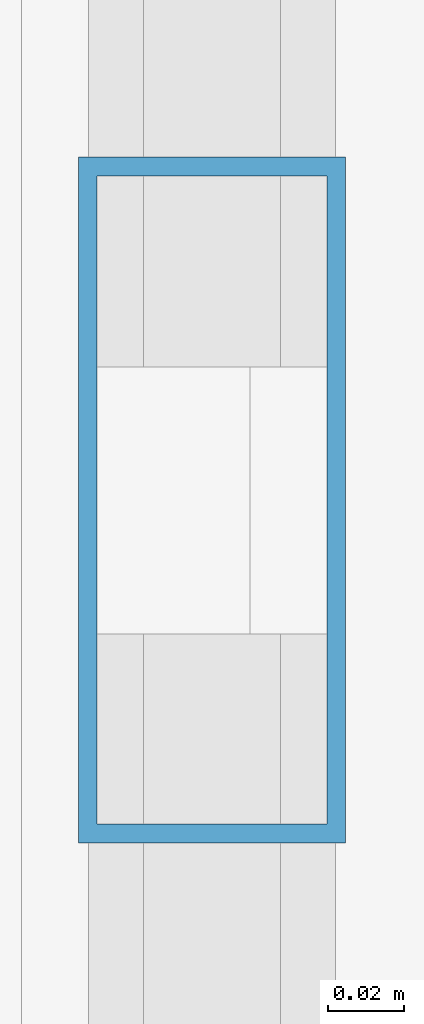
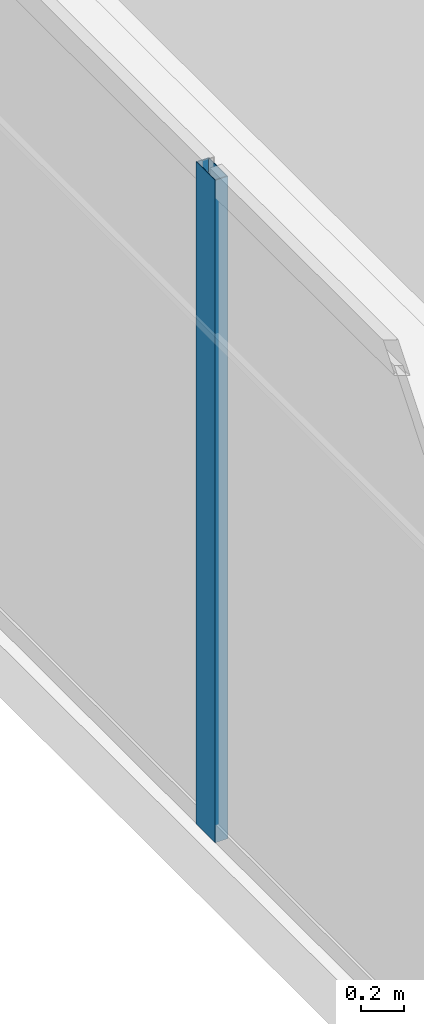
# One storey, part 8 of 35: 1 member, 1 element without a shape of its own.
"""IFC4 building model written with IfcOpenShell, lengths in metres."""

from ifc_helpers import new_model, si_unit, direction, frame, origin, origin_2d, place, context, subcontext, project, spatial, hollow_rectangle, extrude, source, transform, mapped, material, layer, layer_set, material_profile, profile_set, type_object, type_shapes, element, aggregate, save


model = new_model("IFC4")

# Units and contexts
model_context = context("Model", 3, precision=1e-05, world=origin(), true_north=direction((0.0, 1.0)))
body_context = subcontext(model_context, "Body", "Model", "MODEL_VIEW")
ifc_project = project(units=[si_unit("LENGTHUNIT", "METRE"), si_unit("AREAUNIT", "SQUARE_METRE"), si_unit("VOLUMEUNIT", "CUBIC_METRE"), si_unit("PLANEANGLEUNIT", "RADIAN"), si_unit("MASSUNIT", "GRAM", prefix="KILO")], contexts=[model_context])

# Site, building, storey
site_placement = place(None, origin())
site = spatial("IfcSite", under=ifc_project, at=site_placement, CompositionType="ELEMENT")
building_placement = place(site_placement, origin())
building = spatial("IfcBuilding", under=site, at=building_placement, Name="Haelvirn Gate Laboratories", CompositionType="ELEMENT")
storey_placement = place(building_placement, frame((0.0, 0.0, 283.39990234375)))
storey = spatial("IfcBuildingStorey", under=building, at=storey_placement, Name="L68", CompositionType="ELEMENT", Elevation=283.39990234375)

# Curtain wall, member
ifc_material_1 = material(Name="Anodised bronze unitised aluminium & triple low-E glass", Category="aluminium")
ifc_layer = layer(ifc_material_1, 0.176025390625, Name="CW-SYS-4")
ifc_layer_set = layer_set([ifc_layer], Name="Anodised bronze unitised aluminium & triple low-E glass")
curtain_wall_type = type_object("IfcCurtainWallType", Name="CW-SYS-4", PredefinedType="NOTDEFINED", material=ifc_layer_set)
curtain_wall_placement = place(storey_placement, origin())
curtain_wall = element("IfcCurtainWall", 1, at=curtain_wall_placement, inside=storey, type_object=curtain_wall_type, Name="L68 Unitised Curtain Wall CW-L68-P0-E17", PredefinedType="NOTDEFINED")
ifc_material_2 = material(Name="Extruded aluminium 6063-T6 (anodised bronze)", Category="aluminium")
ifc_material_profile = material_profile(ifc_material_2, hollow_rectangle(XDim=0.070068359375, YDim=0.179931640625, WallThickness=0.0048828125, at=origin_2d()), Name="CWM-180x70x5")
ifc_profile_set = profile_set([ifc_material_profile], Name="Extruded aluminium 6063-T6 (anodised bronze)")
member_type = type_object("IfcMemberType", Name="CWM-T180", PredefinedType="MULLION", material=ifc_profile_set)
shared_shape = source(origin(), body_context, "Body", "SweptSolid", [
    extrude(hollow_rectangle(XDim=0.070068359375, YDim=0.179931640625, WallThickness=0.0048828125, at=origin_2d()), origin(), (0.0, 0.0, 1.0), 3.800048828125),
])
type_shapes(member_type, [shared_shape])
member_placement = place(storey_placement, frame((4.10009765625, 24.300048828125, 0.0), z_axis=(0.0, 0.0, 1.0), x_axis=(1.0, 0.0, 0.0)))
member = element("IfcMember", 2, at=member_placement, type_object=member_type, Name="CW4 mullion 2", PredefinedType="MULLION", context=body_context, shape_type="MappedRepresentation", body=[
    mapped(shared_shape, transform((0.0, 0.0, 0.0), scale=1.0)),
])
aggregate(curtain_wall, [member])

save(model, "model.ifc")
